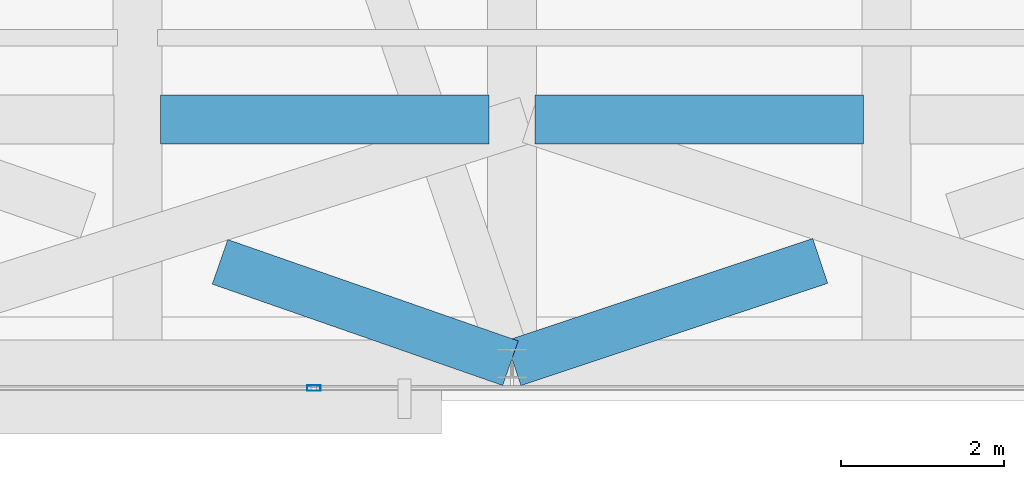
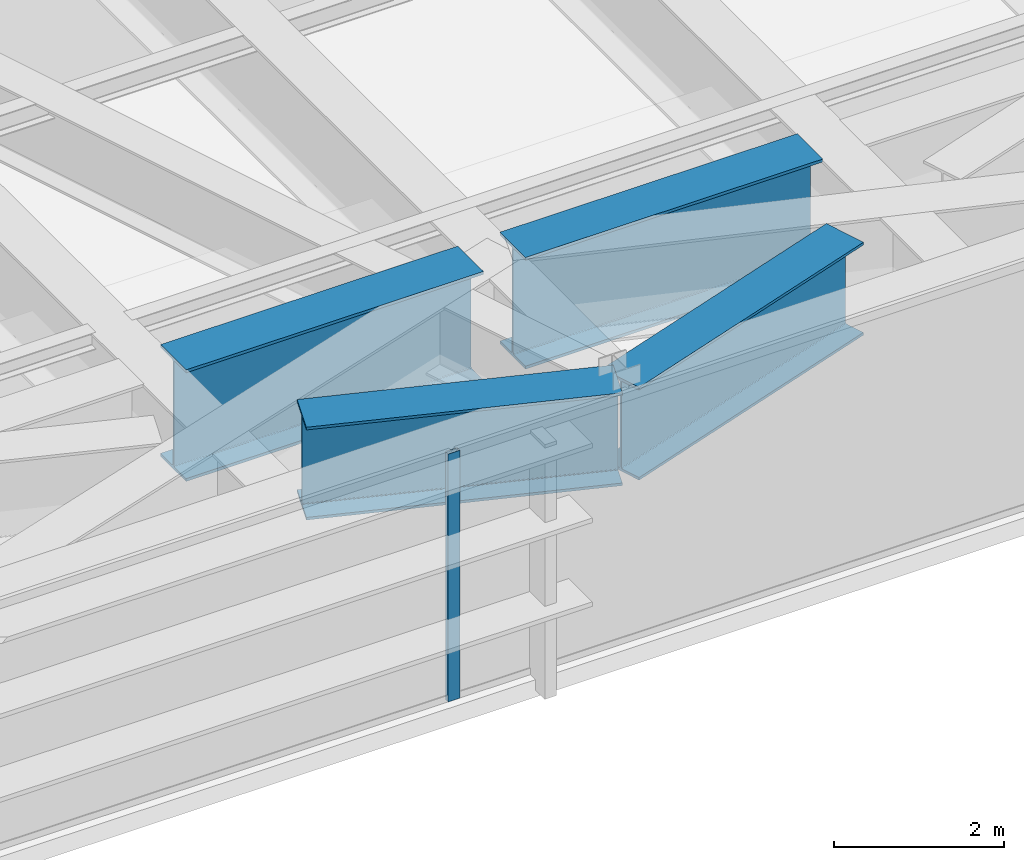
# One storey, part 6 of 23: 4 beams, 1 member, 1 element without a shape of its own.
"""IFC4 building model written with IfcOpenShell, lengths in metres."""

from ifc_helpers import new_model, si_unit, direction, frame, origin, origin_2d, place, context, subcontext, project, spatial, hollow_rectangle, i_section, extrude, source, transform, mapped, material, layer, layer_set, material_profile, profile_set, type_object, type_shapes, element, aggregate, save


model = new_model("IFC4")

# Units and contexts
model_context = context("Model", 3, precision=1e-05, world=origin(), true_north=direction((0.0, 1.0)))
body_context = subcontext(model_context, "Body", "Model", "MODEL_VIEW")
ifc_project = project(units=[si_unit("LENGTHUNIT", "METRE"), si_unit("AREAUNIT", "SQUARE_METRE"), si_unit("VOLUMEUNIT", "CUBIC_METRE"), si_unit("PLANEANGLEUNIT", "RADIAN"), si_unit("MASSUNIT", "GRAM", prefix="KILO")], contexts=[model_context])

# Site, building, storey
site_placement = place(None, origin())
site = spatial("IfcSite", under=ifc_project, at=site_placement, CompositionType="ELEMENT")
building_placement = place(site_placement, origin())
building = spatial("IfcBuilding", under=site, at=building_placement, Name="Varnel Quay Broadcast Tower", CompositionType="ELEMENT")
storey_placement = place(building_placement, frame((0.0, 0.0, 254.60009765625)))
storey = spatial("IfcBuildingStorey", under=building, at=storey_placement, Name="L63", CompositionType="ELEMENT", Elevation=254.60009765625)

# Beams
ifc_material_1 = material(Name="Structural Steel CSA G40.21 350WT", Category="steel")
ifc_material_profile_1 = material_profile(ifc_material_1, i_section(OverallWidth=0.60009765625, OverallDepth=1.60009765625, WebThickness=0.02392578125, FlangeThickness=0.0419921875, FilletRadius=0.02197265625, at=origin_2d()), Name="WWF1600X620")
ifc_profile_set_1 = profile_set([ifc_material_profile_1], Name="Structural Steel CSA G40.21 350WT")
beam_type_1 = type_object("IfcBeamType", Name="Girder_WWF1600X620", PredefinedType="BEAM", material=ifc_profile_set_1)
shared_shape_1 = source(origin(), body_context, "Body", "SweptSolid", [
    extrude(i_section(OverallWidth=0.60009765625, OverallDepth=1.60009765625, WebThickness=0.02392578125, FlangeThickness=0.0419921875, FilletRadius=0.02197265625, at=origin_2d()), origin(), (0.0, 0.0, 1.0), 4.030029296875),
])
type_shapes(beam_type_1, [shared_shape_1])
for number, where, z_axis, x_axis, name in (
    (1, (25.0849609375, 13.64990234375, 2.75), (1.0, 0.0, 0.0), (0.0, 1.0, 0.0), "L63 Setback South Transfer Header 3"),
    (2, (29.68505859375, 13.64990234375, 2.75), (1.0, 0.0, 0.0), (0.0, 1.0, 0.0), "L63 Setback South Transfer Header 4"),
):
    element("IfcBeam", number, at=place(storey_placement, frame(where, z_axis=z_axis, x_axis=x_axis)), inside=storey, type_object=beam_type_1, Name=name, PredefinedType="BEAM", context=body_context, shape_type="MappedRepresentation", body=[
        mapped(shared_shape_1, transform((0.0, 0.0, 0.0), x_axis=(1.0, 0.0, 0.0), y_axis=(0.0, 1.0, 0.0), z_axis=(0.0, 0.0, 1.0), scale=1.0)),
    ])
ifc_material_profile_2 = material_profile(ifc_material_1, i_section(OverallWidth=0.580078125, OverallDepth=1.330078125, WebThickness=0.02197265625, FlangeThickness=0.0380859375, FilletRadius=0.02001953125, at=origin_2d()), Name="WWF1330X535")
ifc_profile_set_2 = profile_set([ifc_material_profile_2], Name="Structural Steel CSA G40.21 350WT")
beam_type_2 = type_object("IfcBeamType", Name="Girder_WWF1330X535", PredefinedType="BEAM", material=ifc_profile_set_2)
shared_shape_2 = source(origin(), body_context, "Body", "SweptSolid", [
    extrude(i_section(OverallWidth=0.580078125, OverallDepth=1.330078125, WebThickness=0.02197265625, FlangeThickness=0.0380859375, FilletRadius=0.02001953125, at=origin_2d()), origin(), (0.0, 0.0, 1.0), 3.77685546875),
])
beam_1_placement = place(storey_placement, frame((29.381103515625, 10.656494140625, 2.885009765625), z_axis=(-0.944189428468, 0.329402979905, 0.0), x_axis=(-0.329402979905, -0.944189428468, 0.0)))
element("IfcBeam", 3, at=beam_1_placement, inside=storey, type_object=beam_type_2, Name="L63 X-Braced Transfer Tie TC-S1-TC-S2 Part 1", PredefinedType="BEAM", context=body_context, shape_type="MappedRepresentation", body=[
    mapped(shared_shape_2, transform((0.0, 0.0, 0.0), x_axis=(1.0, 0.0, 0.0), y_axis=(0.0, 1.0, 0.0), z_axis=(0.0, 0.0, 1.0), scale=1.0)),
])
shared_shape_3 = source(origin(), body_context, "Body", "SweptSolid", [
    extrude(i_section(OverallWidth=0.580078125, OverallDepth=1.330078125, WebThickness=0.02197265625, FlangeThickness=0.0380859375, FilletRadius=0.02001953125, at=origin_2d()), origin(), (0.0, 0.0, 1.0), 3.96875),
])
type_shapes(beam_type_2, [shared_shape_2, shared_shape_3])
beam_2_placement = place(storey_placement, frame((29.4189453125, 10.65625, 2.885009765625), z_axis=(0.948677146418, 0.316246220317, 0.0), x_axis=(-0.316246220317, 0.948677146418, 0.0)))
element("IfcBeam", 4, at=beam_2_placement, inside=storey, type_object=beam_type_2, Name="L63 X-Braced Transfer Tie TC-S3-TC-S2 Part 1", PredefinedType="BEAM", context=body_context, shape_type="MappedRepresentation", body=[
    mapped(shared_shape_3, transform((0.0, 0.0, 0.0), x_axis=(1.0, 0.0, 0.0), y_axis=(0.0, 1.0, 0.0), z_axis=(0.0, 0.0, 1.0), scale=1.0)),
])

# Curtain wall, member
ifc_material_2 = material(Name="Anodised Bronze Aluminium 6063-T6", Category="aluminium")
ifc_layer = layer(ifc_material_2, 0.18994140625, Name="Anodised Bronze Aluminium 6063-T6")
ifc_layer_set = layer_set([ifc_layer], Name="Anodised Bronze Aluminium 6063-T6")
curtain_wall_type = type_object("IfcCurtainWallType", Name="CW_UpperTower", PredefinedType="NOTDEFINED", material=ifc_layer_set)
curtain_wall_placement = place(storey_placement, origin())
curtain_wall = element("IfcCurtainWall", 5, at=curtain_wall_placement, inside=storey, type_object=curtain_wall_type, Name="L63 South Unitised Curtain Wall 1", PredefinedType="NOTDEFINED")
ifc_material_profile_3 = material_profile(ifc_material_2, hollow_rectangle(XDim=0.06494140625, YDim=0.1650390625, WallThickness=0.00341796875, at=origin_2d()), Name="ALU65X165X3.5")
ifc_profile_set_3 = profile_set([ifc_material_profile_3], Name="Anodised Bronze Aluminium 6063-T6")
member_type = type_object("IfcMemberType", Name="Mull_CWS-03", PredefinedType="MULLION", material=ifc_profile_set_3)
shared_shape_4 = source(origin(), body_context, "Body", "SweptSolid", [
    extrude(hollow_rectangle(XDim=0.06494140625, YDim=0.1650390625, WallThickness=0.00341796875, at=origin_2d()), origin(), (0.0, 0.0, 1.0), 3.5498046875),
])
type_shapes(member_type, [shared_shape_4])
member_placement = place(storey_placement, frame((26.966552734375, 10.35009765625, 0.0), z_axis=(0.0, 0.0, 1.0), x_axis=(0.0, 1.0, 0.0)))
member = element("IfcMember", 6, at=member_placement, type_object=member_type, Name="CWS-03 mullion 2", PredefinedType="MULLION", context=body_context, shape_type="MappedRepresentation", body=[
    mapped(shared_shape_4, transform((0.0, 0.0, 0.0), x_axis=(1.0, 0.0, 0.0), y_axis=(0.0, 1.0, 0.0), z_axis=(0.0, 0.0, 1.0), scale=1.0)),
])
aggregate(curtain_wall, [member])

save(model, "model.ifc")
